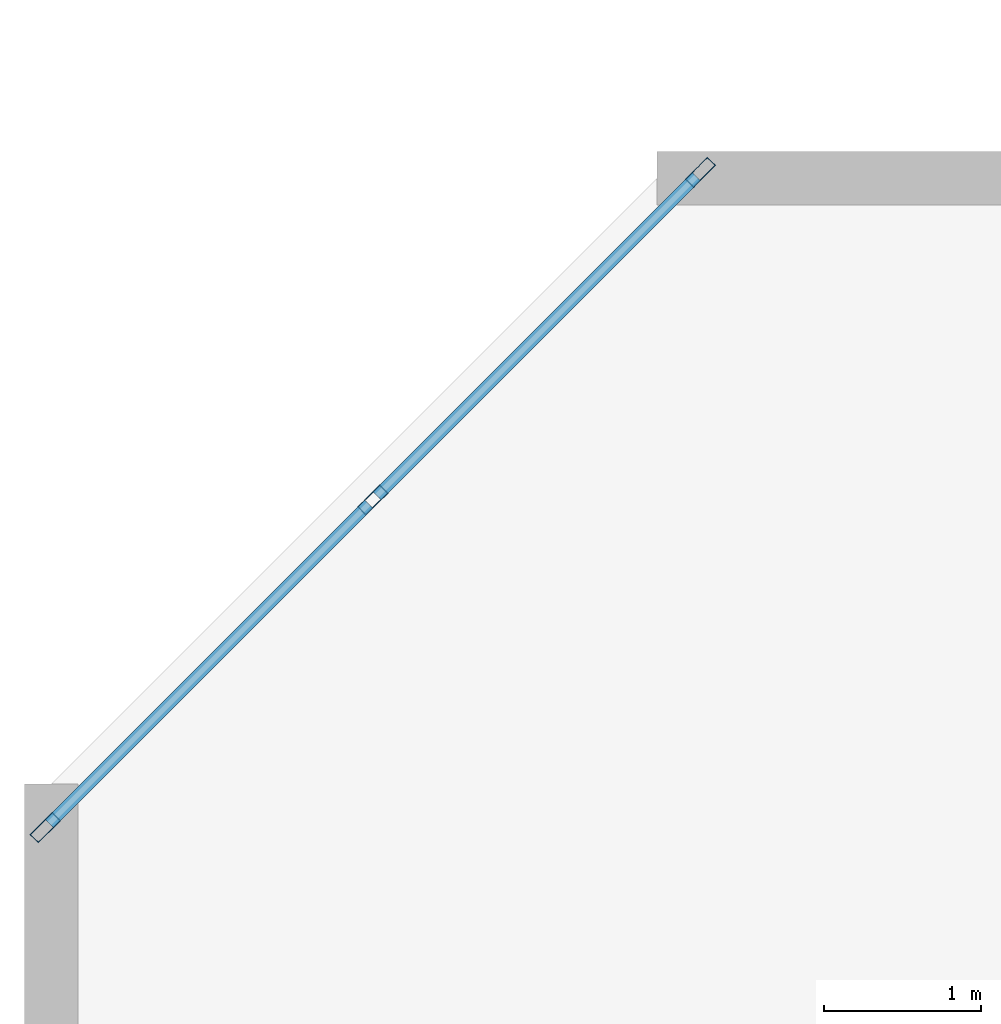
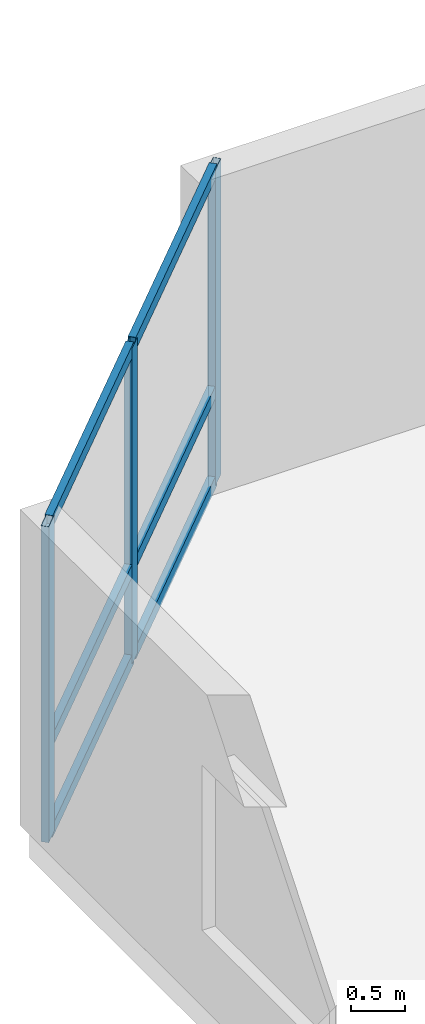
# One storey, part 3 of 12: 9 members, 1 element without a shape of its own.
"""IFC4 building model written with IfcOpenShell, lengths in metres."""

from ifc_helpers import new_model, si_unit, direction, frame, origin, origin_2d, place, context, subcontext, project, spatial, hollow_rectangle, extrude, material, layer, layer_set, material_profile, profile_set, type_object, element, aggregate, save


model = new_model("IFC4")

# Units and contexts
model_context = context("Model", 3, precision=1e-05, world=origin(), true_north=direction((0.0, 1.0)))
body_context = subcontext(model_context, "Body", "Model", "MODEL_VIEW")
ifc_project = project(units=[si_unit("LENGTHUNIT", "METRE"), si_unit("AREAUNIT", "SQUARE_METRE"), si_unit("VOLUMEUNIT", "CUBIC_METRE"), si_unit("PLANEANGLEUNIT", "RADIAN"), si_unit("MASSUNIT", "GRAM", prefix="KILO")], contexts=[model_context])

# Site, building, storey
site_placement = place(None, origin())
site = spatial("IfcSite", under=ifc_project, at=site_placement, CompositionType="ELEMENT")
building_placement = place(site_placement, origin())
building = spatial("IfcBuilding", under=site, at=building_placement, Name="Kestravale Grand Hotel", CompositionType="ELEMENT")
storey_placement = place(building_placement, frame((0.0, 0.0, 52.60009765625)))
storey = spatial("IfcBuildingStorey", under=building, at=storey_placement, Name="L12", CompositionType="ELEMENT", Elevation=52.60009765625)

# Curtain wall, members
ifc_material_1 = material(Name="Thermally broken champagne-bronze aluminium and low-E glazing", Category="aluminium")
ifc_layer = layer(ifc_material_1, 0.199951171875)
ifc_layer_set = layer_set([ifc_layer], Name="CW-Z1")
curtain_wall_type = type_object("IfcCurtainWallType", Name="CW-Z1", PredefinedType="NOTDEFINED", material=ifc_layer_set)
curtain_wall_placement = place(storey_placement, origin())
curtain_wall = element("IfcCurtainWall", 1, at=curtain_wall_placement, inside=storey, type_object=curtain_wall_type, Name="L12 unitised curtain wall 18", PredefinedType="NOTDEFINED")
ifc_material_2 = material(Name="Aluminium 6063-T6 anodised", Category="aluminium")
ifc_material_profile_1 = material_profile(ifc_material_2, hollow_rectangle(XDim=0.074951171875, YDim=0.199951171875, WallThickness=0.00390625, at=origin_2d()))
ifc_profile_set_1 = profile_set([ifc_material_profile_1], Name="Aluminium 6063-T6 anodised")
member_type_1 = type_object("IfcMemberType", Name="CW-MUL-200", PredefinedType="MULLION", material=ifc_profile_set_1)
member_1_placement = place(storey_placement, frame((6.707763671875, 46.0673828125, 0.0), z_axis=(0.0, 0.0, 1.0), x_axis=(0.707106781187, -0.707106781187, 0.0)))
member_1 = element("IfcMember", 2, at=member_1_placement, type_object=member_type_1, Name="CW-Z1 mullion 1", PredefinedType="MULLION", context=body_context, shape_type="SweptSolid", body=[
    extrude(hollow_rectangle(XDim=0.074951171875, YDim=0.199951171875, WallThickness=0.00390625, at=origin_2d()), origin(), (0.0, 0.0, 1.0), 3.539794921875),
])
member_2_placement = place(storey_placement, frame((4.6201171875, 43.979736328125, 0.0), z_axis=(0.0, 0.0, 1.0), x_axis=(0.707106781187, -0.707106781187, 0.0)))
member_2 = element("IfcMember", 3, at=member_2_placement, type_object=member_type_1, Name="CW-Z1 mullion 2", PredefinedType="MULLION", context=body_context, shape_type="SweptSolid", body=[
    extrude(hollow_rectangle(XDim=0.074951171875, YDim=0.199951171875, WallThickness=0.00390625, at=origin_2d()), origin(), (0.0, 0.0, 1.0), 3.539794921875),
])
member_3_placement = place(storey_placement, frame((2.532470703125, 41.89208984375, 0.0), z_axis=(0.0, 0.0, 1.0), x_axis=(0.707106781187, -0.707106781187, 0.0)))
member_3 = element("IfcMember", 4, at=member_3_placement, type_object=member_type_1, Name="CW-Z1 mullion 3", PredefinedType="MULLION", context=body_context, shape_type="SweptSolid", body=[
    extrude(hollow_rectangle(XDim=0.074951171875, YDim=0.199951171875, WallThickness=0.00390625, at=origin_2d()), origin(), (0.0, 0.0, 1.0), 3.539794921875),
])
ifc_material_3 = material(Name="Aluminium 6063-T6 anodised", Category="aluminium")
ifc_material_profile_2 = material_profile(ifc_material_3, hollow_rectangle(XDim=0.074951171875, YDim=0.139892578125, WallThickness=0.00341796875, at=origin_2d()))
ifc_profile_set_2 = profile_set([ifc_material_profile_2], Name="Aluminium 6063-T6 anodised")
member_type_2 = type_object("IfcMemberType", Name="CW-TRN-140", PredefinedType="USERDEFINED", material=ifc_profile_set_2)
member_4_placement = place(storey_placement, frame((6.681396484375, 46.041015625, 0.037353515625), z_axis=(-0.707106781187, -0.707106781187, 0.0), x_axis=(0.707106781187, -0.707106781187, 0.0)))
member_4 = element("IfcMember", 5, at=member_4_placement, type_object=member_type_2, Name="CW-Z1 transom 1.1", ObjectType="TRANSOM", PredefinedType="USERDEFINED", context=body_context, shape_type="SweptSolid", body=[
    extrude(hollow_rectangle(XDim=0.074951171875, YDim=0.139892578125, WallThickness=0.00341796875, at=origin_2d()), origin(), (0.0, 0.0, 1.0), 2.87744140625),
])
member_5_placement = place(storey_placement, frame((6.681396484375, 46.041015625, 1.0498046875), z_axis=(-0.707106781187, -0.707106781187, 0.0), x_axis=(0.707106781187, -0.707106781187, 0.0)))
member_5 = element("IfcMember", 6, at=member_5_placement, type_object=member_type_2, Name="CW-Z1 transom 1.2", ObjectType="TRANSOM", PredefinedType="USERDEFINED", context=body_context, shape_type="SweptSolid", body=[
    extrude(hollow_rectangle(XDim=0.074951171875, YDim=0.139892578125, WallThickness=0.00341796875, at=origin_2d()), origin(), (0.0, 0.0, 1.0), 2.87744140625),
])
member_6_placement = place(storey_placement, frame((6.681396484375, 46.041015625, 3.50244140625), z_axis=(-0.707106781187, -0.707106781187, 0.0), x_axis=(0.707106781187, -0.707106781187, 0.0)))
member_6 = element("IfcMember", 7, at=member_6_placement, type_object=member_type_2, Name="CW-Z1 transom 1.3", ObjectType="TRANSOM", PredefinedType="USERDEFINED", context=body_context, shape_type="SweptSolid", body=[
    extrude(hollow_rectangle(XDim=0.074951171875, YDim=0.139892578125, WallThickness=0.00341796875, at=origin_2d()), origin(), (0.0, 0.0, 1.0), 2.87744140625),
])
member_7_placement = place(storey_placement, frame((4.59375, 43.953369140625, 0.037353515625), z_axis=(-0.707106781187, -0.707106781187, 0.0), x_axis=(0.707106781187, -0.707106781187, 0.0)))
member_7 = element("IfcMember", 8, at=member_7_placement, type_object=member_type_2, Name="CW-Z1 transom 2.1", ObjectType="TRANSOM", PredefinedType="USERDEFINED", context=body_context, shape_type="SweptSolid", body=[
    extrude(hollow_rectangle(XDim=0.074951171875, YDim=0.139892578125, WallThickness=0.00341796875, at=origin_2d()), origin(), (0.0, 0.0, 1.0), 2.87744140625),
])
member_8_placement = place(storey_placement, frame((4.59375, 43.953369140625, 1.0498046875), z_axis=(-0.707106781187, -0.707106781187, 0.0), x_axis=(0.707106781187, -0.707106781187, 0.0)))
member_8 = element("IfcMember", 9, at=member_8_placement, type_object=member_type_2, Name="CW-Z1 transom 2.2", ObjectType="TRANSOM", PredefinedType="USERDEFINED", context=body_context, shape_type="SweptSolid", body=[
    extrude(hollow_rectangle(XDim=0.074951171875, YDim=0.139892578125, WallThickness=0.00341796875, at=origin_2d()), origin(), (0.0, 0.0, 1.0), 2.87744140625),
])
member_9_placement = place(storey_placement, frame((4.59375, 43.953369140625, 3.50244140625), z_axis=(-0.707106781187, -0.707106781187, 0.0), x_axis=(0.707106781187, -0.707106781187, 0.0)))
member_9 = element("IfcMember", 10, at=member_9_placement, type_object=member_type_2, Name="CW-Z1 transom 2.3", ObjectType="TRANSOM", PredefinedType="USERDEFINED", context=body_context, shape_type="SweptSolid", body=[
    extrude(hollow_rectangle(XDim=0.074951171875, YDim=0.139892578125, WallThickness=0.00341796875, at=origin_2d()), origin(), (0.0, 0.0, 1.0), 2.87744140625),
])
aggregate(curtain_wall, [member_1, member_2, member_3, member_4, member_5, member_6, member_7, member_8, member_9])

save(model, "model.ifc")
